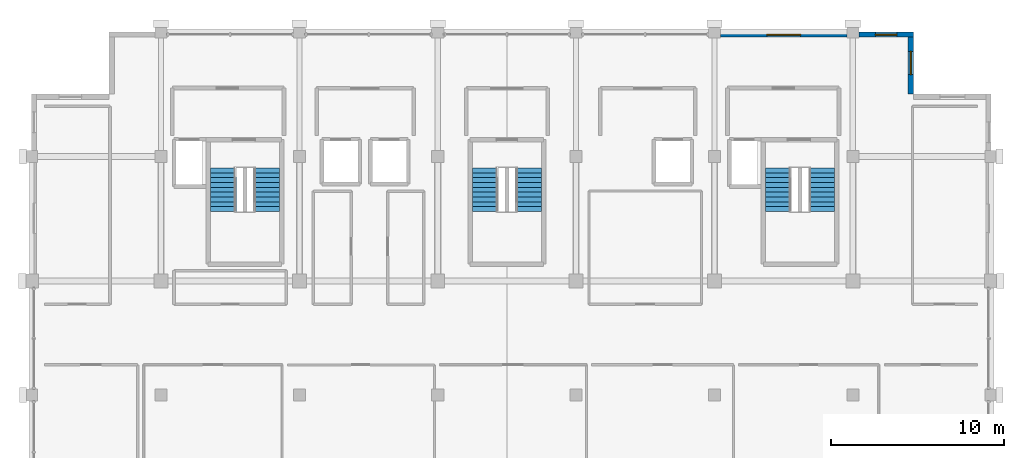
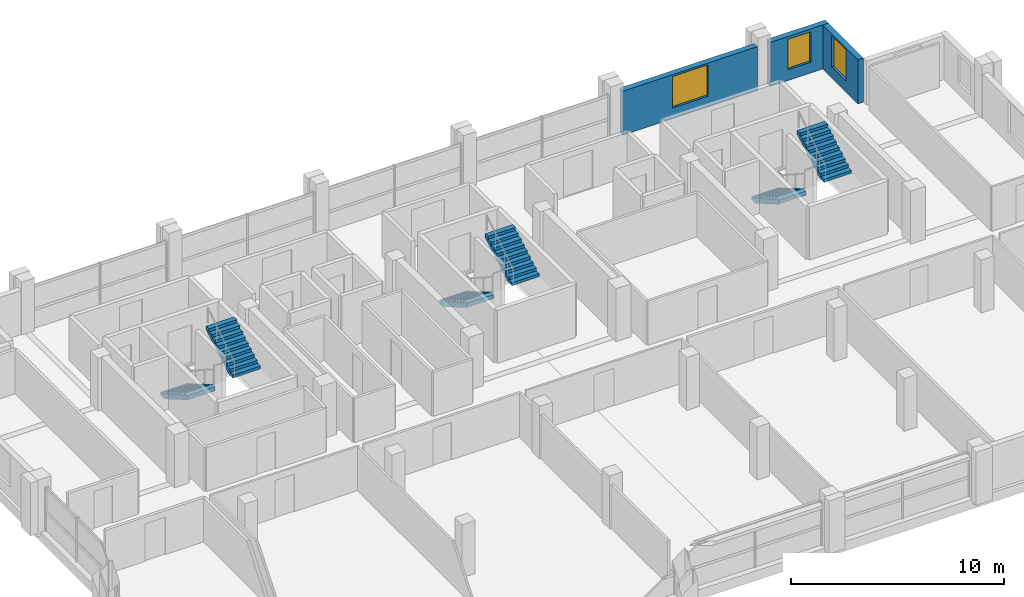
# One storey, part 23 of 24: 6 stair flights, 3 walls, 3 windows, 3 openings, 3 elements without a shape of their own.
"""IFC4 building model written with IfcOpenShell, lengths in metres."""

from ifc_helpers import new_model, si_unit, direction, frame, frame_2d, origin, place, context, subcontext, project, spatial, polyline, rectangle, outline, extrude, material, layer, layer_set, type_object, element, fill, aggregate, save


model = new_model("IFC4")

# Units and contexts
model_context = context("Model", 3, precision=1e-05, world=origin(), true_north=direction((0.0, 1.0)))
body_context = subcontext(model_context, "Body", "Model", "MODEL_VIEW")
ifc_project = project(units=[si_unit("LENGTHUNIT", "METRE"), si_unit("AREAUNIT", "SQUARE_METRE"), si_unit("VOLUMEUNIT", "CUBIC_METRE"), si_unit("PLANEANGLEUNIT", "RADIAN"), si_unit("MASSUNIT", "GRAM", prefix="KILO")], contexts=[model_context])

# Site, building, storey
site_placement = place(None, origin())
site = spatial("IfcSite", under=ifc_project, at=site_placement, CompositionType="ELEMENT")
building_placement = place(site_placement, origin())
building = spatial("IfcBuilding", under=site, at=building_placement, Name="Akrevak Sports Hall", CompositionType="ELEMENT")
storey_placement = place(building_placement, frame((0.0, 0.0, 56.800048828125)))
storey = spatial("IfcBuildingStorey", under=building, at=storey_placement, Name="L14", CompositionType="ELEMENT", Elevation=56.800048828125)

# Wall, opening, window
ifc_material_1 = material(Name="Limestone Ashlar", Category="stone")
ifc_layer_1 = layer(ifc_material_1, 0.06005859375, Name="Limestone Ashlar")
ifc_material_2 = material(Name="Mineral Wool Thermal Insulation", Category="insulation")
ifc_layer_2 = layer(ifc_material_2, 0.090087890625, Name="Mineral Wool Thermal Insulation")
ifc_material_3 = material(Name="Concrete C40/50", Category="concrete")
ifc_layer_3 = layer(ifc_material_3, 0.14990234375, Name="Concrete C40/50")
ifc_layer_set = layer_set([ifc_layer_1, ifc_layer_2, ifc_layer_3], Name="Limestone Ashlar / Mineral Wool Thermal Insulation / Concrete C40/50")
wall_type = type_object("IfcWallType", Name="ARC-WL-EXT-300", PredefinedType="SOLIDWALL", material=ifc_layer_set)
wall_1_placement = place(storey_placement, frame((103.35009765625, 66.0, 0.0), z_axis=(0.0, 0.0, 1.0), x_axis=(0.0, 1.0, 0.0)))
wall_1 = element("IfcWall", 1, at=wall_1_placement, inside=storey, type_object=wall_type, Name="Tower Stone Facade Wall L14-E16", PredefinedType="SOLIDWALL", context=body_context, shape_type="SweptSolid", body=[
    extrude(rectangle(XDim=3.60009765625, YDim=0.300048828125, at=frame_2d((1.800048828125, 0.0))), origin(), (0.0, 0.0, 1.0), 2.530029296875),
])
opening_1_placement = place(wall_1_placement, frame((1.125, 0.0, 0.6201171875)))
opening_1 = element("IfcOpeningElement", 2, at=opening_1_placement, cuts=wall_1, Name="Opening WN-19", PredefinedType="OPENING", context=body_context, shape_type="SweptSolid", body=[
    extrude(rectangle(XDim=1.35009765625, YDim=1.800048828125, at=frame_2d((0.675048828125, 0.89990234375))), frame((0.0, 0.162109375, 0.0), z_axis=(0.0, -1.0, 0.0), x_axis=(1.0, 0.0, 0.0)), (0.0, 0.0, 1.0), 0.323974609375),
])
ifc_material_4 = material(Name="Thermally Broken Bronze Frame & Double Low-E Glass", Category="glass")
window_type_1 = type_object("IfcWindowType", Name="ARC-WIN-TW-135x180", PartitioningType="SINGLE_PANEL", PredefinedType="WINDOW", material=ifc_material_4)
window_1_placement = place(opening_1_placement, origin())
window_1 = element("IfcWindow", 3, at=window_1_placement, inside=storey, type_object=window_type_1, Name="Tower Window L14-E16", OverallHeight=1.800048828125, OverallWidth=1.35009765625, PartitioningType="SINGLE_PANEL", PredefinedType="WINDOW", context=body_context, shape_type="SweptSolid", body=[
    extrude(rectangle(XDim=1.35009765625, YDim=1.800048828125, at=frame_2d((0.675048828125, 0.89990234375))), frame((0.0, 0.030029296875, 0.0), z_axis=(0.0, -1.0, 0.0), x_axis=(1.0, 0.0, 0.0)), (0.0, 0.0, 1.0), 0.06005859375),
])
fill(opening_1, window_1)

wall_2_placement = place(storey_placement, frame((103.5, 69.449951171875, 0.0), z_axis=(0.0, 0.0, 1.0), x_axis=(-1.0, 0.0, 0.0)))
wall_2 = element("IfcWall", 4, at=wall_2_placement, inside=storey, type_object=wall_type, Name="Tower Stone Facade Wall L14-N17", PredefinedType="SOLIDWALL", context=body_context, shape_type="SweptSolid", body=[
    extrude(rectangle(XDim=3.14990234375, YDim=0.300048828125, at=frame_2d((1.574951171875, 0.0))), origin(), (0.0, 0.0, 1.0), 2.530029296875),
])
opening_2_placement = place(wall_2_placement, frame((0.949951171875, 0.0, 0.6201171875)))
opening_2 = element("IfcOpeningElement", 5, at=opening_2_placement, cuts=wall_2, Name="Opening WN-20", PredefinedType="OPENING", context=body_context, shape_type="SweptSolid", body=[
    extrude(rectangle(XDim=1.25, YDim=1.75, at=frame_2d((0.625, 0.875))), frame((0.0, 0.162109375, 0.0), z_axis=(0.0, -1.0, 0.0), x_axis=(1.0, 0.0, 0.0)), (0.0, 0.0, 1.0), 0.323974609375),
])
window_type_2 = type_object("IfcWindowType", Name="ARC-WIN-TW-125x175", PartitioningType="SINGLE_PANEL", PredefinedType="WINDOW", material=ifc_material_4)
window_2_placement = place(opening_2_placement, origin())
window_2 = element("IfcWindow", 6, at=window_2_placement, inside=storey, type_object=window_type_2, Name="Tower Window L14-N17", OverallHeight=1.75, OverallWidth=1.25, PartitioningType="SINGLE_PANEL", PredefinedType="WINDOW", context=body_context, shape_type="SweptSolid", body=[
    extrude(rectangle(XDim=1.25, YDim=1.75, at=frame_2d((0.625, 0.875))), frame((0.0, 0.030029296875, 0.0), z_axis=(0.0, -1.0, 0.0), x_axis=(1.0, 0.0, 0.0)), (0.0, 0.0, 1.0), 0.06005859375),
])
fill(opening_2, window_2)

wall_3_placement = place(storey_placement, frame((99.64990234375, 69.449951171875, 0.0), z_axis=(0.0, 0.0, 1.0), x_axis=(-1.0, 0.0, 0.0)))
wall_3 = element("IfcWall", 7, at=wall_3_placement, inside=storey, type_object=wall_type, Name="Tower Stone Facade Wall L14-N18", PredefinedType="SOLIDWALL", context=body_context, shape_type="SweptSolid", body=[
    extrude(rectangle(XDim=7.2998046875, YDim=0.300048828125, at=frame_2d((3.64990234375, 0.0))), origin(), (0.0, 0.0, 1.0), 2.530029296875),
])
opening_3_placement = place(wall_3_placement, frame((2.675048828125, 0.0, 0.6201171875)))
opening_3 = element("IfcOpeningElement", 8, at=opening_3_placement, cuts=wall_3, Name="Opening WN-52", PredefinedType="OPENING", context=body_context, shape_type="SweptSolid", body=[
    extrude(rectangle(XDim=1.949951171875, YDim=1.81005859375, at=frame_2d((0.97509765625, 0.905029296875))), frame((0.0, 0.162109375, 0.0), z_axis=(0.0, -1.0, 0.0), x_axis=(1.0, 0.0, 0.0)), (0.0, 0.0, 1.0), 0.323974609375),
])
window_type_3 = type_object("IfcWindowType", Name="ARC-WIN-SZ-1950x1810", PartitioningType="SINGLE_PANEL", PredefinedType="WINDOW", material=ifc_material_4)
window_3_placement = place(opening_3_placement, origin())
window_3 = element("IfcWindow", 9, at=window_3_placement, inside=storey, type_object=window_type_3, Name="Tower Window L14-N18", OverallHeight=1.81005859375, OverallWidth=1.949951171875, PartitioningType="SINGLE_PANEL", PredefinedType="WINDOW", context=body_context, shape_type="SweptSolid", body=[
    extrude(rectangle(XDim=1.949951171875, YDim=1.81005859375, at=frame_2d((0.97509765625, 0.905029296875))), frame((0.0, 0.030029296875, 0.0), z_axis=(0.0, -1.0, 0.0), x_axis=(1.0, 0.0, 0.0)), (0.0, 0.0, 1.0), 0.06005859375),
])
fill(opening_3, window_3)

# Stair, stair flights
stair_type = type_object("IfcStairType", Name="ARC-STR-DOG-325", PredefinedType="HALF_TURN_STAIR", material=ifc_material_3)
stair_1_placement = place(storey_placement, origin())
stair_1 = element("IfcStair", 10, at=stair_1_placement, inside=storey, type_object=stair_type, Name="Protected Exit Stair ST1 (L14 to L15)", PredefinedType="HALF_TURN_STAIR")
stair_flight_type = type_object("IfcStairFlightType", Name="ARC-FLT-165-163", PredefinedType="STRAIGHT", material=ifc_material_3)
stair_flight_1_placement = place(storey_placement, frame((63.610107421875, 61.735107421875, 0.0), z_axis=(0.0, 0.0, 1.0), x_axis=(0.0, -1.0, 0.0)))
stair_flight_1 = element("IfcStairFlight", 11, at=stair_flight_1_placement, type_object=stair_flight_type, Name="Stair ST1 Flight 1 (L14)", NumberOfRisers=10, NumberOfTreads=9, PredefinedType="STRAIGHT", RiserHeight=0.1625, TreadLength=0.28, context=body_context, shape_type="SweptSolid", body=[
    extrude(outline(polyline([(0.0, 0.0), (0.0, 0.16259765625), (0.280029296875, 0.16259765625), (0.280029296875, 0.324951171875), (0.56005859375, 0.324951171875), (0.56005859375, 0.487548828125), (0.840087890625, 0.487548828125), (0.840087890625, 0.64990234375), (1.1201171875, 0.64990234375), (1.1201171875, 0.8125), (1.39990234375, 0.8125), (1.39990234375, 0.97509765625), (1.679931640625, 0.97509765625), (1.679931640625, 1.137451171875), (1.9599609375, 1.137451171875), (1.9599609375, 1.300048828125), (2.239990234375, 1.300048828125), (2.239990234375, 1.46240234375), (2.52001953125, 1.46240234375), (2.52001953125, 1.625), (2.52001953125, 1.231201171875), (0.3984375, 0.0), (0.0, 0.0)])), frame((0.0, 0.75, 0.0), z_axis=(0.0, -1.0, 0.0), x_axis=(1.0, 0.0, 0.0)), (0.0, 0.0, 1.0), 1.5),
])
stair_flight_2_placement = place(storey_placement, frame((66.090087890625, 59.215087890625, 1.625), z_axis=(0.0, 0.0, 1.0), x_axis=(0.0, 1.0, 0.0)))
stair_flight_2 = element("IfcStairFlight", 12, at=stair_flight_2_placement, type_object=stair_flight_type, Name="Stair ST1 Flight 2 (L14)", NumberOfRisers=10, NumberOfTreads=9, PredefinedType="STRAIGHT", RiserHeight=0.1625, TreadLength=0.28, context=body_context, shape_type="SweptSolid", body=[
    extrude(outline(polyline([(0.0, 0.0), (0.0, 0.16259765625), (0.280029296875, 0.16259765625), (0.280029296875, 0.324951171875), (0.56005859375, 0.324951171875), (0.56005859375, 0.487548828125), (0.840087890625, 0.487548828125), (0.840087890625, 0.64990234375), (1.1201171875, 0.64990234375), (1.1201171875, 0.8125), (1.39990234375, 0.8125), (1.39990234375, 0.97509765625), (1.679931640625, 0.97509765625), (1.679931640625, 1.137451171875), (1.9599609375, 1.137451171875), (1.9599609375, 1.300048828125), (2.239990234375, 1.300048828125), (2.239990234375, 1.46240234375), (2.52001953125, 1.46240234375), (2.52001953125, 1.625), (2.52001953125, 1.231201171875), (0.3984375, 0.0), (0.0, 0.0)])), frame((0.0, 0.75, 0.0), z_axis=(0.0, -1.0, 0.0), x_axis=(1.0, 0.0, 0.0)), (0.0, 0.0, 1.0), 1.5),
])
aggregate(stair_1, [stair_flight_1, stair_flight_2])

stair_2_placement = place(storey_placement, origin())
stair_2 = element("IfcStair", 13, at=stair_2_placement, inside=storey, type_object=stair_type, Name="Protected Exit Stair ST2 (L14 to L15)", PredefinedType="HALF_TURN_STAIR")
stair_flight_3_placement = place(storey_placement, frame((95.7099609375, 61.735107421875, 0.0), z_axis=(0.0, 0.0, 1.0), x_axis=(0.0, -1.0, 0.0)))
stair_flight_3 = element("IfcStairFlight", 14, at=stair_flight_3_placement, type_object=stair_flight_type, Name="Stair ST2 Flight 1 (L14)", NumberOfRisers=10, NumberOfTreads=9, PredefinedType="STRAIGHT", RiserHeight=0.1625, TreadLength=0.28, context=body_context, shape_type="SweptSolid", body=[
    extrude(outline(polyline([(0.0, 0.0), (0.0, 0.16259765625), (0.280029296875, 0.16259765625), (0.280029296875, 0.324951171875), (0.56005859375, 0.324951171875), (0.56005859375, 0.487548828125), (0.840087890625, 0.487548828125), (0.840087890625, 0.64990234375), (1.1201171875, 0.64990234375), (1.1201171875, 0.8125), (1.39990234375, 0.8125), (1.39990234375, 0.97509765625), (1.679931640625, 0.97509765625), (1.679931640625, 1.137451171875), (1.9599609375, 1.137451171875), (1.9599609375, 1.300048828125), (2.239990234375, 1.300048828125), (2.239990234375, 1.46240234375), (2.52001953125, 1.46240234375), (2.52001953125, 1.625), (2.52001953125, 1.231201171875), (0.3984375, 0.0), (0.0, 0.0)])), frame((0.0, 0.75, 0.0), z_axis=(0.0, -1.0, 0.0), x_axis=(1.0, 0.0, 0.0)), (0.0, 0.0, 1.0), 1.5),
])
stair_flight_4_placement = place(storey_placement, frame((98.18994140625, 59.215087890625, 1.625), z_axis=(0.0, 0.0, 1.0), x_axis=(0.0, 1.0, 0.0)))
stair_flight_4 = element("IfcStairFlight", 15, at=stair_flight_4_placement, type_object=stair_flight_type, Name="Stair ST2 Flight 2 (L14)", NumberOfRisers=10, NumberOfTreads=9, PredefinedType="STRAIGHT", RiserHeight=0.1625, TreadLength=0.28, context=body_context, shape_type="SweptSolid", body=[
    extrude(outline(polyline([(0.0, 0.0), (0.0, 0.16259765625), (0.280029296875, 0.16259765625), (0.280029296875, 0.324951171875), (0.56005859375, 0.324951171875), (0.56005859375, 0.487548828125), (0.840087890625, 0.487548828125), (0.840087890625, 0.64990234375), (1.1201171875, 0.64990234375), (1.1201171875, 0.8125), (1.39990234375, 0.8125), (1.39990234375, 0.97509765625), (1.679931640625, 0.97509765625), (1.679931640625, 1.137451171875), (1.9599609375, 1.137451171875), (1.9599609375, 1.300048828125), (2.239990234375, 1.300048828125), (2.239990234375, 1.46240234375), (2.52001953125, 1.46240234375), (2.52001953125, 1.625), (2.52001953125, 1.231201171875), (0.3984375, 0.0), (0.0, 0.0)])), frame((0.0, 0.75, 0.0), z_axis=(0.0, -1.0, 0.0), x_axis=(1.0, 0.0, 0.0)), (0.0, 0.0, 1.0), 1.5),
])
aggregate(stair_2, [stair_flight_3, stair_flight_4])

stair_3_placement = place(storey_placement, origin())
stair_3 = element("IfcStair", 16, at=stair_3_placement, inside=storey, type_object=stair_type, Name="Protected Exit Stair ST3 (L14 to L15)", PredefinedType="HALF_TURN_STAIR")
stair_flight_5_placement = place(storey_placement, frame((78.760009765625, 61.735107421875, 0.0), z_axis=(0.0, 0.0, 1.0), x_axis=(0.0, -1.0, 0.0)))
stair_flight_5 = element("IfcStairFlight", 17, at=stair_flight_5_placement, type_object=stair_flight_type, Name="Stair ST3 Flight 1 (L14)", NumberOfRisers=10, NumberOfTreads=9, PredefinedType="STRAIGHT", RiserHeight=0.1625, TreadLength=0.28, context=body_context, shape_type="SweptSolid", body=[
    extrude(outline(polyline([(0.0, 0.0), (0.0, 0.16259765625), (0.280029296875, 0.16259765625), (0.280029296875, 0.324951171875), (0.56005859375, 0.324951171875), (0.56005859375, 0.487548828125), (0.840087890625, 0.487548828125), (0.840087890625, 0.64990234375), (1.1201171875, 0.64990234375), (1.1201171875, 0.8125), (1.39990234375, 0.8125), (1.39990234375, 0.97509765625), (1.679931640625, 0.97509765625), (1.679931640625, 1.137451171875), (1.9599609375, 1.137451171875), (1.9599609375, 1.300048828125), (2.239990234375, 1.300048828125), (2.239990234375, 1.46240234375), (2.52001953125, 1.46240234375), (2.52001953125, 1.625), (2.52001953125, 1.231201171875), (0.3984375, 0.0), (0.0, 0.0)])), frame((0.0, 0.75, 0.0), z_axis=(0.0, -1.0, 0.0), x_axis=(1.0, 0.0, 0.0)), (0.0, 0.0, 1.0), 1.5),
])
stair_flight_6_placement = place(storey_placement, frame((81.239990234375, 59.215087890625, 1.625), z_axis=(0.0, 0.0, 1.0), x_axis=(0.0, 1.0, 0.0)))
stair_flight_6 = element("IfcStairFlight", 18, at=stair_flight_6_placement, type_object=stair_flight_type, Name="Stair ST3 Flight 2 (L14)", NumberOfRisers=10, NumberOfTreads=9, PredefinedType="STRAIGHT", RiserHeight=0.1625, TreadLength=0.28, context=body_context, shape_type="SweptSolid", body=[
    extrude(outline(polyline([(0.0, 0.0), (0.0, 0.16259765625), (0.280029296875, 0.16259765625), (0.280029296875, 0.324951171875), (0.56005859375, 0.324951171875), (0.56005859375, 0.487548828125), (0.840087890625, 0.487548828125), (0.840087890625, 0.64990234375), (1.1201171875, 0.64990234375), (1.1201171875, 0.8125), (1.39990234375, 0.8125), (1.39990234375, 0.97509765625), (1.679931640625, 0.97509765625), (1.679931640625, 1.137451171875), (1.9599609375, 1.137451171875), (1.9599609375, 1.300048828125), (2.239990234375, 1.300048828125), (2.239990234375, 1.46240234375), (2.52001953125, 1.46240234375), (2.52001953125, 1.625), (2.52001953125, 1.231201171875), (0.3984375, 0.0), (0.0, 0.0)])), frame((0.0, 0.75, 0.0), z_axis=(0.0, -1.0, 0.0), x_axis=(1.0, 0.0, 0.0)), (0.0, 0.0, 1.0), 1.5),
])
aggregate(stair_3, [stair_flight_5, stair_flight_6])

save(model, "model.ifc")
